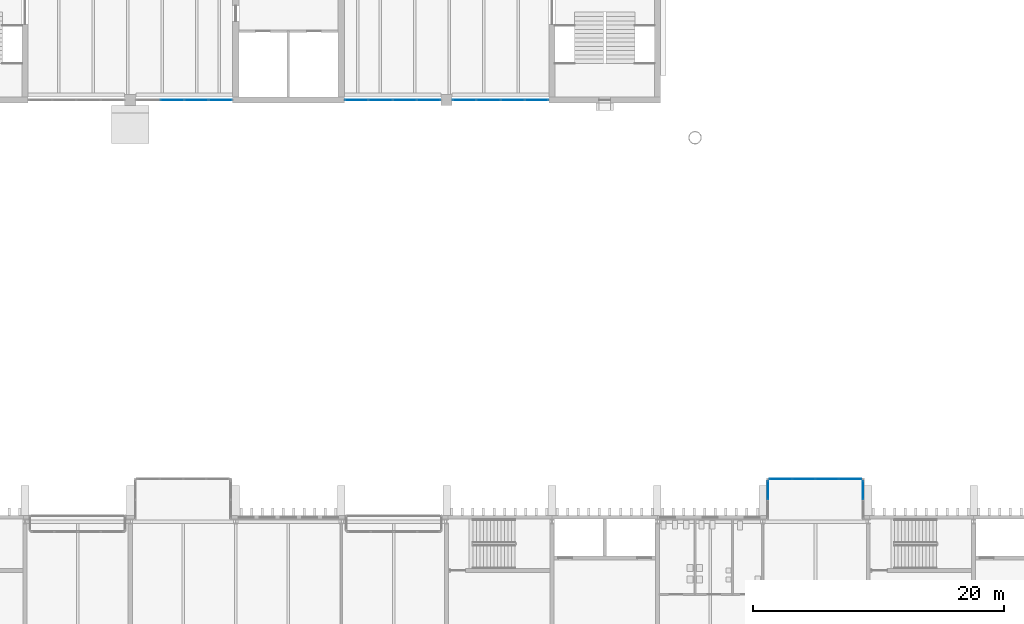
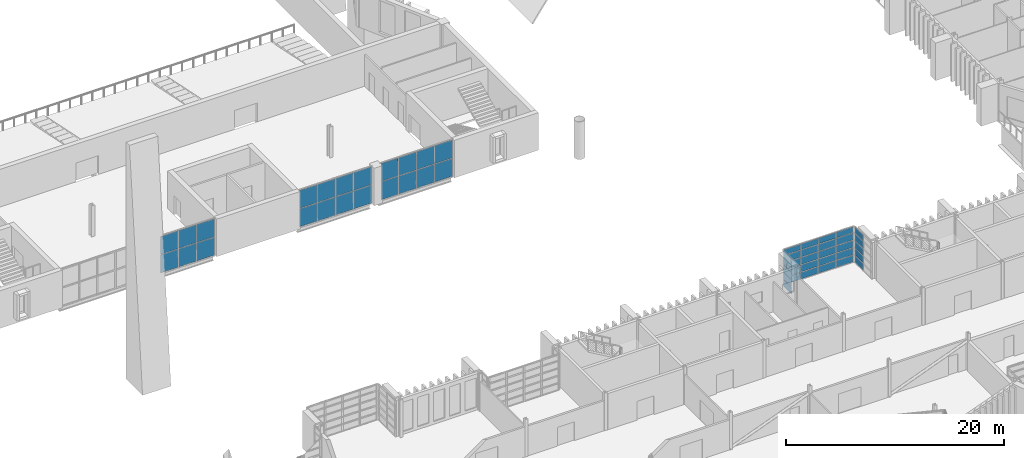
# One storey, part 52 of 100: 52 plates, 6 elements without a shape of their own.
"""IFC4 building model written with IfcOpenShell, lengths in metres."""

from ifc_helpers import new_model, si_unit, direction, frame, origin, origin_2d, place, context, subcontext, project, spatial, rectangle, extrude, material, layer, layer_set, type_object, element, aggregate, save


model = new_model("IFC4")

# Units and contexts
model_context = context("Model", 3, precision=1e-05, world=origin(), true_north=direction((0.0, 1.0)))
body_context = subcontext(model_context, "Body", "Model", "MODEL_VIEW")
ifc_project = project(units=[si_unit("LENGTHUNIT", "METRE"), si_unit("AREAUNIT", "SQUARE_METRE"), si_unit("VOLUMEUNIT", "CUBIC_METRE"), si_unit("PLANEANGLEUNIT", "RADIAN"), si_unit("MASSUNIT", "GRAM", prefix="KILO")], contexts=[model_context])

# Site, building, storey
site_placement = place(None, origin())
site = spatial("IfcSite", under=ifc_project, at=site_placement, CompositionType="ELEMENT")
building_placement = place(site_placement, origin())
building = spatial("IfcBuilding", under=site, at=building_placement, Name="Cresset Court Congress Hotel", CompositionType="ELEMENT")
storey_placement = place(building_placement, frame((0.0, 0.0, 10.199951171875)))
storey = spatial("IfcBuildingStorey", under=building, at=storey_placement, Name="L02", CompositionType="ELEMENT", Elevation=10.199951171875)

# Curtain wall, plates
ifc_material_1 = material(Name="Aluminium frame with double glazing", Category="aluminium")
ifc_layer_1 = layer(ifc_material_1, 0.199951171875)
ifc_layer_set_1 = layer_set([ifc_layer_1], Name="Glazed box curtain wall 1680 module")
curtain_wall_type_1 = type_object("IfcCurtainWallType", Name="Glazed box curtain wall 1680 module", PredefinedType="NOTDEFINED", material=ifc_layer_set_1)
curtain_wall_1_placement = place(storey_placement, origin())
curtain_wall_1 = element("IfcCurtainWall", 1, at=curtain_wall_1_placement, inside=storey, type_object=curtain_wall_type_1, Name="Glazed box N0232 front", PredefinedType="NOTDEFINED")
ifc_material_2 = material(Name="Toughened double glazing", Category="glass")
ifc_layer_2 = layer(ifc_material_2, 0.028076171875)
ifc_layer_set_2 = layer_set([ifc_layer_2], Name="Box glass panel 28")
plate_type_1 = type_object("IfcPlateType", Name="Box glass panel 28", PredefinedType="CURTAIN_PANEL", material=ifc_layer_set_2)
plate_1_placement = place(storey_placement, frame((127.43994140625, 28.60009765625, 0.06005859375), z_axis=(0.0, 0.0, 1.0), x_axis=(1.0, 0.0, 0.0)))
plate_1 = element("IfcPlate", 2, at=plate_1_placement, type_object=plate_type_1, Name="B-X1 panel 1.1", PredefinedType="CURTAIN_PANEL", context=body_context, shape_type="SweptSolid", body=[
    extrude(rectangle(XDim=1.760009765625, YDim=0.028076171875, at=origin_2d()), origin(), (0.0, 0.0, 1.0), 0.739990234375),
])
plate_2_placement = place(storey_placement, frame((127.43994140625, 28.60009765625, 0.860107421875), z_axis=(0.0, 0.0, 1.0), x_axis=(1.0, 0.0, 0.0)))
plate_2 = element("IfcPlate", 3, at=plate_2_placement, type_object=plate_type_1, Name="B-X1 panel 1.2", PredefinedType="CURTAIN_PANEL", context=body_context, shape_type="SweptSolid", body=[
    extrude(rectangle(XDim=1.760009765625, YDim=0.028076171875, at=origin_2d()), origin(), (0.0, 0.0, 1.0), 0.77001953125),
])
plate_3_placement = place(storey_placement, frame((127.43994140625, 28.60009765625, 1.68994140625), z_axis=(0.0, 0.0, 1.0), x_axis=(1.0, 0.0, 0.0)))
plate_3 = element("IfcPlate", 4, at=plate_3_placement, type_object=plate_type_1, Name="B-X1 panel 1.3", PredefinedType="CURTAIN_PANEL", context=body_context, shape_type="SweptSolid", body=[
    extrude(rectangle(XDim=1.760009765625, YDim=0.028076171875, at=origin_2d()), origin(), (0.0, 0.0, 1.0), 0.77001953125),
])
plate_4_placement = place(storey_placement, frame((127.43994140625, 28.60009765625, 2.52001953125), z_axis=(0.0, 0.0, 1.0), x_axis=(1.0, 0.0, 0.0)))
plate_4 = element("IfcPlate", 5, at=plate_4_placement, type_object=plate_type_1, Name="B-X1 panel 1.4", PredefinedType="CURTAIN_PANEL", context=body_context, shape_type="SweptSolid", body=[
    extrude(rectangle(XDim=1.760009765625, YDim=0.028076171875, at=origin_2d()), origin(), (0.0, 0.0, 1.0), 0.77001953125),
])
plate_5_placement = place(storey_placement, frame((129.27490234375, 28.60009765625, 0.06005859375), z_axis=(0.0, 0.0, 1.0), x_axis=(1.0, 0.0, 0.0)))
plate_5 = element("IfcPlate", 6, at=plate_5_placement, type_object=plate_type_1, Name="B-X1 panel 2.1", PredefinedType="CURTAIN_PANEL", context=body_context, shape_type="SweptSolid", body=[
    extrude(rectangle(XDim=1.7900390625, YDim=0.028076171875, at=origin_2d()), origin(), (0.0, 0.0, 1.0), 0.739990234375),
])
plate_6_placement = place(storey_placement, frame((129.27490234375, 28.60009765625, 0.860107421875), z_axis=(0.0, 0.0, 1.0), x_axis=(1.0, 0.0, 0.0)))
plate_6 = element("IfcPlate", 7, at=plate_6_placement, type_object=plate_type_1, Name="B-X1 panel 2.2", PredefinedType="CURTAIN_PANEL", context=body_context, shape_type="SweptSolid", body=[
    extrude(rectangle(XDim=1.7900390625, YDim=0.028076171875, at=origin_2d()), origin(), (0.0, 0.0, 1.0), 0.77001953125),
])
plate_7_placement = place(storey_placement, frame((129.27490234375, 28.60009765625, 1.68994140625), z_axis=(0.0, 0.0, 1.0), x_axis=(1.0, 0.0, 0.0)))
plate_7 = element("IfcPlate", 8, at=plate_7_placement, type_object=plate_type_1, Name="B-X1 panel 2.3", PredefinedType="CURTAIN_PANEL", context=body_context, shape_type="SweptSolid", body=[
    extrude(rectangle(XDim=1.7900390625, YDim=0.028076171875, at=origin_2d()), origin(), (0.0, 0.0, 1.0), 0.77001953125),
])
plate_8_placement = place(storey_placement, frame((129.27490234375, 28.60009765625, 2.52001953125), z_axis=(0.0, 0.0, 1.0), x_axis=(1.0, 0.0, 0.0)))
plate_8 = element("IfcPlate", 9, at=plate_8_placement, type_object=plate_type_1, Name="B-X1 panel 2.4", PredefinedType="CURTAIN_PANEL", context=body_context, shape_type="SweptSolid", body=[
    extrude(rectangle(XDim=1.7900390625, YDim=0.028076171875, at=origin_2d()), origin(), (0.0, 0.0, 1.0), 0.77001953125),
])
plate_9_placement = place(storey_placement, frame((131.125, 28.60009765625, 0.06005859375), z_axis=(0.0, 0.0, 1.0), x_axis=(1.0, 0.0, 0.0)))
plate_9 = element("IfcPlate", 10, at=plate_9_placement, type_object=plate_type_1, Name="B-X1 panel 3.1", PredefinedType="CURTAIN_PANEL", context=body_context, shape_type="SweptSolid", body=[
    extrude(rectangle(XDim=1.7900390625, YDim=0.028076171875, at=origin_2d()), origin(), (0.0, 0.0, 1.0), 0.739990234375),
])
plate_10_placement = place(storey_placement, frame((131.125, 28.60009765625, 0.860107421875), z_axis=(0.0, 0.0, 1.0), x_axis=(1.0, 0.0, 0.0)))
plate_10 = element("IfcPlate", 11, at=plate_10_placement, type_object=plate_type_1, Name="B-X1 panel 3.2", PredefinedType="CURTAIN_PANEL", context=body_context, shape_type="SweptSolid", body=[
    extrude(rectangle(XDim=1.7900390625, YDim=0.028076171875, at=origin_2d()), origin(), (0.0, 0.0, 1.0), 0.77001953125),
])
plate_11_placement = place(storey_placement, frame((131.125, 28.60009765625, 1.68994140625), z_axis=(0.0, 0.0, 1.0), x_axis=(1.0, 0.0, 0.0)))
plate_11 = element("IfcPlate", 12, at=plate_11_placement, type_object=plate_type_1, Name="B-X1 panel 3.3", PredefinedType="CURTAIN_PANEL", context=body_context, shape_type="SweptSolid", body=[
    extrude(rectangle(XDim=1.7900390625, YDim=0.028076171875, at=origin_2d()), origin(), (0.0, 0.0, 1.0), 0.77001953125),
])
plate_12_placement = place(storey_placement, frame((131.125, 28.60009765625, 2.52001953125), z_axis=(0.0, 0.0, 1.0), x_axis=(1.0, 0.0, 0.0)))
plate_12 = element("IfcPlate", 13, at=plate_12_placement, type_object=plate_type_1, Name="B-X1 panel 3.4", PredefinedType="CURTAIN_PANEL", context=body_context, shape_type="SweptSolid", body=[
    extrude(rectangle(XDim=1.7900390625, YDim=0.028076171875, at=origin_2d()), origin(), (0.0, 0.0, 1.0), 0.77001953125),
])
plate_13_placement = place(storey_placement, frame((132.9599609375, 28.60009765625, 0.06005859375), z_axis=(0.0, 0.0, 1.0), x_axis=(1.0, 0.0, 0.0)))
plate_13 = element("IfcPlate", 14, at=plate_13_placement, type_object=plate_type_1, Name="B-X1 panel 4.1", PredefinedType="CURTAIN_PANEL", context=body_context, shape_type="SweptSolid", body=[
    extrude(rectangle(XDim=1.760009765625, YDim=0.028076171875, at=origin_2d()), origin(), (0.0, 0.0, 1.0), 0.739990234375),
])
plate_14_placement = place(storey_placement, frame((132.9599609375, 28.60009765625, 0.860107421875), z_axis=(0.0, 0.0, 1.0), x_axis=(1.0, 0.0, 0.0)))
plate_14 = element("IfcPlate", 15, at=plate_14_placement, type_object=plate_type_1, Name="B-X1 panel 4.2", PredefinedType="CURTAIN_PANEL", context=body_context, shape_type="SweptSolid", body=[
    extrude(rectangle(XDim=1.760009765625, YDim=0.028076171875, at=origin_2d()), origin(), (0.0, 0.0, 1.0), 0.77001953125),
])
plate_15_placement = place(storey_placement, frame((132.9599609375, 28.60009765625, 1.68994140625), z_axis=(0.0, 0.0, 1.0), x_axis=(1.0, 0.0, 0.0)))
plate_15 = element("IfcPlate", 16, at=plate_15_placement, type_object=plate_type_1, Name="B-X1 panel 4.3", PredefinedType="CURTAIN_PANEL", context=body_context, shape_type="SweptSolid", body=[
    extrude(rectangle(XDim=1.760009765625, YDim=0.028076171875, at=origin_2d()), origin(), (0.0, 0.0, 1.0), 0.77001953125),
])
plate_16_placement = place(storey_placement, frame((132.9599609375, 28.60009765625, 2.52001953125), z_axis=(0.0, 0.0, 1.0), x_axis=(1.0, 0.0, 0.0)))
plate_16 = element("IfcPlate", 17, at=plate_16_placement, type_object=plate_type_1, Name="B-X1 panel 4.4", PredefinedType="CURTAIN_PANEL", context=body_context, shape_type="SweptSolid", body=[
    extrude(rectangle(XDim=1.760009765625, YDim=0.028076171875, at=origin_2d()), origin(), (0.0, 0.0, 1.0), 0.77001953125),
])

curtain_wall_2_placement = place(storey_placement, origin())
curtain_wall_2 = element("IfcCurtainWall", 18, at=curtain_wall_2_placement, inside=storey, type_object=curtain_wall_type_1, Name="Glazed box N0232 side", PredefinedType="NOTDEFINED")
plate_17_placement = place(storey_placement, frame((126.39990234375, 27.7099609375, 0.06005859375), z_axis=(0.0, 0.0, 1.0), x_axis=(0.0, 1.0, 0.0)))
plate_17 = element("IfcPlate", 19, at=plate_17_placement, type_object=plate_type_1, Name="B-X1 panel 2.1", PredefinedType="CURTAIN_PANEL", context=body_context, shape_type="SweptSolid", body=[
    extrude(rectangle(XDim=1.4599609375, YDim=0.028076171875, at=origin_2d()), origin(), (0.0, 0.0, 1.0), 0.739990234375),
])
plate_18_placement = place(storey_placement, frame((126.39990234375, 27.7099609375, 0.860107421875), z_axis=(0.0, 0.0, 1.0), x_axis=(0.0, 1.0, 0.0)))
plate_18 = element("IfcPlate", 20, at=plate_18_placement, type_object=plate_type_1, Name="B-X1 panel 2.2", PredefinedType="CURTAIN_PANEL", context=body_context, shape_type="SweptSolid", body=[
    extrude(rectangle(XDim=1.4599609375, YDim=0.028076171875, at=origin_2d()), origin(), (0.0, 0.0, 1.0), 0.77001953125),
])
plate_19_placement = place(storey_placement, frame((126.39990234375, 27.7099609375, 1.68994140625), z_axis=(0.0, 0.0, 1.0), x_axis=(0.0, 1.0, 0.0)))
plate_19 = element("IfcPlate", 21, at=plate_19_placement, type_object=plate_type_1, Name="B-X1 panel 2.3", PredefinedType="CURTAIN_PANEL", context=body_context, shape_type="SweptSolid", body=[
    extrude(rectangle(XDim=1.4599609375, YDim=0.028076171875, at=origin_2d()), origin(), (0.0, 0.0, 1.0), 0.77001953125),
])
plate_20_placement = place(storey_placement, frame((126.39990234375, 27.7099609375, 2.52001953125), z_axis=(0.0, 0.0, 1.0), x_axis=(0.0, 1.0, 0.0)))
plate_20 = element("IfcPlate", 22, at=plate_20_placement, type_object=plate_type_1, Name="B-X1 panel 2.4", PredefinedType="CURTAIN_PANEL", context=body_context, shape_type="SweptSolid", body=[
    extrude(rectangle(XDim=1.4599609375, YDim=0.028076171875, at=origin_2d()), origin(), (0.0, 0.0, 1.0), 0.77001953125),
])

curtain_wall_3_placement = place(storey_placement, origin())
curtain_wall_3 = element("IfcCurtainWall", 23, at=curtain_wall_3_placement, inside=storey, type_object=curtain_wall_type_1, Name="Glazed box N0232 side", PredefinedType="NOTDEFINED")
plate_21_placement = place(storey_placement, frame((134.0, 27.7099609375, 0.06005859375), z_axis=(0.0, 0.0, 1.0), x_axis=(0.0, 1.0, 0.0)))
plate_21 = element("IfcPlate", 24, at=plate_21_placement, type_object=plate_type_1, Name="B-X1 panel 2.1", PredefinedType="CURTAIN_PANEL", context=body_context, shape_type="SweptSolid", body=[
    extrude(rectangle(XDim=1.4599609375, YDim=0.028076171875, at=origin_2d()), origin(), (0.0, 0.0, 1.0), 0.739990234375),
])
plate_22_placement = place(storey_placement, frame((134.0, 27.7099609375, 0.860107421875), z_axis=(0.0, 0.0, 1.0), x_axis=(0.0, 1.0, 0.0)))
plate_22 = element("IfcPlate", 25, at=plate_22_placement, type_object=plate_type_1, Name="B-X1 panel 2.2", PredefinedType="CURTAIN_PANEL", context=body_context, shape_type="SweptSolid", body=[
    extrude(rectangle(XDim=1.4599609375, YDim=0.028076171875, at=origin_2d()), origin(), (0.0, 0.0, 1.0), 0.77001953125),
])
plate_23_placement = place(storey_placement, frame((134.0, 27.7099609375, 1.68994140625), z_axis=(0.0, 0.0, 1.0), x_axis=(0.0, 1.0, 0.0)))
plate_23 = element("IfcPlate", 26, at=plate_23_placement, type_object=plate_type_1, Name="B-X1 panel 2.3", PredefinedType="CURTAIN_PANEL", context=body_context, shape_type="SweptSolid", body=[
    extrude(rectangle(XDim=1.4599609375, YDim=0.028076171875, at=origin_2d()), origin(), (0.0, 0.0, 1.0), 0.77001953125),
])
plate_24_placement = place(storey_placement, frame((134.0, 27.7099609375, 2.52001953125), z_axis=(0.0, 0.0, 1.0), x_axis=(0.0, 1.0, 0.0)))
plate_24 = element("IfcPlate", 27, at=plate_24_placement, type_object=plate_type_1, Name="B-X1 panel 2.4", PredefinedType="CURTAIN_PANEL", context=body_context, shape_type="SweptSolid", body=[
    extrude(rectangle(XDim=1.4599609375, YDim=0.028076171875, at=origin_2d()), origin(), (0.0, 0.0, 1.0), 0.77001953125),
])

# Plate
ifc_material_3 = material(Name="Insulated aluminium spandrel panel", Category="aluminium")
ifc_layer_3 = layer(ifc_material_3, 0.0400390625)
ifc_layer_set_3 = layer_set([ifc_layer_3], Name="Box spandrel panel 40")
plate_type_2 = type_object("IfcPlateType", Name="Box spandrel panel 40", PredefinedType="CURTAIN_PANEL", material=ifc_layer_set_3)
plate_25_placement = place(storey_placement, frame((127.43994140625, 28.60009765625, 3.35009765625), z_axis=(0.0, 0.0, 1.0), x_axis=(1.0, 0.0, 0.0)))
plate_25 = element("IfcPlate", 28, at=plate_25_placement, type_object=plate_type_2, Name="B-X1 spandrel panel 1.5", PredefinedType="CURTAIN_PANEL", context=body_context, shape_type="SweptSolid", body=[
    extrude(rectangle(XDim=1.760009765625, YDim=0.0400390625, at=origin_2d()), origin(), (0.0, 0.0, 1.0), 0.639892578125),
])

plate_26_placement = place(storey_placement, frame((129.27490234375, 28.60009765625, 3.35009765625), z_axis=(0.0, 0.0, 1.0), x_axis=(1.0, 0.0, 0.0)))
plate_26 = element("IfcPlate", 29, at=plate_26_placement, type_object=plate_type_2, Name="B-X1 spandrel panel 2.5", PredefinedType="CURTAIN_PANEL", context=body_context, shape_type="SweptSolid", body=[
    extrude(rectangle(XDim=1.7900390625, YDim=0.0400390625, at=origin_2d()), origin(), (0.0, 0.0, 1.0), 0.639892578125),
])

plate_27_placement = place(storey_placement, frame((131.125, 28.60009765625, 3.35009765625), z_axis=(0.0, 0.0, 1.0), x_axis=(1.0, 0.0, 0.0)))
plate_27 = element("IfcPlate", 30, at=plate_27_placement, type_object=plate_type_2, Name="B-X1 spandrel panel 3.5", PredefinedType="CURTAIN_PANEL", context=body_context, shape_type="SweptSolid", body=[
    extrude(rectangle(XDim=1.7900390625, YDim=0.0400390625, at=origin_2d()), origin(), (0.0, 0.0, 1.0), 0.639892578125),
])

plate_28_placement = place(storey_placement, frame((132.9599609375, 28.60009765625, 3.35009765625), z_axis=(0.0, 0.0, 1.0), x_axis=(1.0, 0.0, 0.0)))
plate_28 = element("IfcPlate", 31, at=plate_28_placement, type_object=plate_type_2, Name="B-X1 spandrel panel 4.5", PredefinedType="CURTAIN_PANEL", context=body_context, shape_type="SweptSolid", body=[
    extrude(rectangle(XDim=1.760009765625, YDim=0.0400390625, at=origin_2d()), origin(), (0.0, 0.0, 1.0), 0.639892578125),
])

aggregate(curtain_wall_1, [plate_1, plate_2, plate_3, plate_4, plate_25, plate_5, plate_6, plate_7, plate_8, plate_26, plate_9, plate_10, plate_11, plate_12, plate_27, plate_13, plate_14, plate_15, plate_16, plate_28])

plate_29_placement = place(storey_placement, frame((126.39990234375, 27.7099609375, 3.35009765625), z_axis=(0.0, 0.0, 1.0), x_axis=(0.0, 1.0, 0.0)))
plate_29 = element("IfcPlate", 32, at=plate_29_placement, type_object=plate_type_2, Name="B-X1 spandrel panel 2.5", PredefinedType="CURTAIN_PANEL", context=body_context, shape_type="SweptSolid", body=[
    extrude(rectangle(XDim=1.4599609375, YDim=0.0400390625, at=origin_2d()), origin(), (0.0, 0.0, 1.0), 0.639892578125),
])

aggregate(curtain_wall_2, [plate_17, plate_18, plate_19, plate_20, plate_29])

plate_30_placement = place(storey_placement, frame((134.0, 27.7099609375, 3.35009765625), z_axis=(0.0, 0.0, 1.0), x_axis=(0.0, 1.0, 0.0)))
plate_30 = element("IfcPlate", 33, at=plate_30_placement, type_object=plate_type_2, Name="B-X1 spandrel panel 2.5", PredefinedType="CURTAIN_PANEL", context=body_context, shape_type="SweptSolid", body=[
    extrude(rectangle(XDim=1.4599609375, YDim=0.0400390625, at=origin_2d()), origin(), (0.0, 0.0, 1.0), 0.639892578125),
])

aggregate(curtain_wall_3, [plate_21, plate_22, plate_23, plate_24, plate_30])

# Curtain wall, plates
ifc_material_4 = material(Name="Aluminium and glass", Category="aluminium")
ifc_layer_4 = layer(ifc_material_4, 0.199951171875)
ifc_layer_set_4 = layer_set([ifc_layer_4], Name="Foyer curtain wall 1925 module")
curtain_wall_type_2 = type_object("IfcCurtainWallType", Name="Foyer curtain wall 1925 module", PredefinedType="NOTDEFINED", material=ifc_layer_set_4)
curtain_wall_4_placement = place(storey_placement, origin())
curtain_wall_4 = element("IfcCurtainWall", 34, at=curtain_wall_4_placement, inside=storey, type_object=curtain_wall_type_2, Name="Curtain wall CX-022", PredefinedType="NOTDEFINED")
ifc_material_5 = material(Name="Laminated glass", Category="glass")
ifc_layer_5 = layer(ifc_material_5, 0.028076171875)
ifc_layer_set_5 = layer_set([ifc_layer_5], Name="Curtain wall glass panel 28")
plate_type_3 = type_object("IfcPlateType", Name="Curtain wall glass panel 28", PredefinedType="CURTAIN_PANEL", material=ifc_layer_set_5)
plate_31_placement = place(storey_placement, frame((78.9375, 58.800048828125, 0.06005859375), z_axis=(0.0, 0.0, 1.0), x_axis=(1.0, 0.0, 0.0)))
plate_31 = element("IfcPlate", 35, at=plate_31_placement, type_object=plate_type_3, Name="C-X1 panel 2.1", PredefinedType="CURTAIN_PANEL", context=body_context, shape_type="SweptSolid", body=[
    extrude(rectangle(XDim=1.864990234375, YDim=0.028076171875, at=origin_2d()), origin(), (0.0, 0.0, 1.0), 2.010009765625),
])
plate_32_placement = place(storey_placement, frame((78.9375, 58.800048828125, 2.1298828125), z_axis=(0.0, 0.0, 1.0), x_axis=(1.0, 0.0, 0.0)))
plate_32 = element("IfcPlate", 36, at=plate_32_placement, type_object=plate_type_3, Name="C-X1 panel 2.2", PredefinedType="CURTAIN_PANEL", context=body_context, shape_type="SweptSolid", body=[
    extrude(rectangle(XDim=1.864990234375, YDim=0.028076171875, at=origin_2d()), origin(), (0.0, 0.0, 1.0), 2.010009765625),
])
plate_33_placement = place(storey_placement, frame((80.862548828125, 58.800048828125, 0.06005859375), z_axis=(0.0, 0.0, 1.0), x_axis=(1.0, 0.0, 0.0)))
plate_33 = element("IfcPlate", 37, at=plate_33_placement, type_object=plate_type_3, Name="C-X1 panel 3.1", PredefinedType="CURTAIN_PANEL", context=body_context, shape_type="SweptSolid", body=[
    extrude(rectangle(XDim=1.864990234375, YDim=0.028076171875, at=origin_2d()), origin(), (0.0, 0.0, 1.0), 2.010009765625),
])
plate_34_placement = place(storey_placement, frame((80.862548828125, 58.800048828125, 2.1298828125), z_axis=(0.0, 0.0, 1.0), x_axis=(1.0, 0.0, 0.0)))
plate_34 = element("IfcPlate", 38, at=plate_34_placement, type_object=plate_type_3, Name="C-X1 panel 3.2", PredefinedType="CURTAIN_PANEL", context=body_context, shape_type="SweptSolid", body=[
    extrude(rectangle(XDim=1.864990234375, YDim=0.028076171875, at=origin_2d()), origin(), (0.0, 0.0, 1.0), 2.010009765625),
])
plate_35_placement = place(storey_placement, frame((82.7724609375, 58.800048828125, 0.06005859375), z_axis=(0.0, 0.0, 1.0), x_axis=(1.0, 0.0, 0.0)))
plate_35 = element("IfcPlate", 39, at=plate_35_placement, type_object=plate_type_3, Name="C-X1 panel 4.1", PredefinedType="CURTAIN_PANEL", context=body_context, shape_type="SweptSolid", body=[
    extrude(rectangle(XDim=1.8349609375, YDim=0.028076171875, at=origin_2d()), origin(), (0.0, 0.0, 1.0), 2.010009765625),
])
plate_36_placement = place(storey_placement, frame((82.7724609375, 58.800048828125, 2.1298828125), z_axis=(0.0, 0.0, 1.0), x_axis=(1.0, 0.0, 0.0)))
plate_36 = element("IfcPlate", 40, at=plate_36_placement, type_object=plate_type_3, Name="C-X1 panel 4.2", PredefinedType="CURTAIN_PANEL", context=body_context, shape_type="SweptSolid", body=[
    extrude(rectangle(XDim=1.8349609375, YDim=0.028076171875, at=origin_2d()), origin(), (0.0, 0.0, 1.0), 2.010009765625),
])
aggregate(curtain_wall_4, [plate_31, plate_32, plate_33, plate_34, plate_35, plate_36])

curtain_wall_5_placement = place(storey_placement, origin())
curtain_wall_5 = element("IfcCurtainWall", 41, at=curtain_wall_5_placement, inside=storey, type_object=curtain_wall_type_2, Name="Curtain wall CX-023", PredefinedType="NOTDEFINED")
plate_37_placement = place(storey_placement, frame((93.62744140625, 58.800048828125, 0.06005859375), z_axis=(0.0, 0.0, 1.0), x_axis=(1.0, 0.0, 0.0)))
plate_37 = element("IfcPlate", 42, at=plate_37_placement, type_object=plate_type_3, Name="C-X1 panel 1.1", PredefinedType="CURTAIN_PANEL", context=body_context, shape_type="SweptSolid", body=[
    extrude(rectangle(XDim=1.8349609375, YDim=0.028076171875, at=origin_2d()), origin(), (0.0, 0.0, 1.0), 2.010009765625),
])
plate_38_placement = place(storey_placement, frame((93.62744140625, 58.800048828125, 2.1298828125), z_axis=(0.0, 0.0, 1.0), x_axis=(1.0, 0.0, 0.0)))
plate_38 = element("IfcPlate", 43, at=plate_38_placement, type_object=plate_type_3, Name="C-X1 panel 1.2", PredefinedType="CURTAIN_PANEL", context=body_context, shape_type="SweptSolid", body=[
    extrude(rectangle(XDim=1.8349609375, YDim=0.028076171875, at=origin_2d()), origin(), (0.0, 0.0, 1.0), 2.010009765625),
])
plate_39_placement = place(storey_placement, frame((95.53759765625, 58.800048828125, 0.06005859375), z_axis=(0.0, 0.0, 1.0), x_axis=(1.0, 0.0, 0.0)))
plate_39 = element("IfcPlate", 44, at=plate_39_placement, type_object=plate_type_3, Name="C-X1 panel 2.1", PredefinedType="CURTAIN_PANEL", context=body_context, shape_type="SweptSolid", body=[
    extrude(rectangle(XDim=1.864990234375, YDim=0.028076171875, at=origin_2d()), origin(), (0.0, 0.0, 1.0), 2.010009765625),
])
plate_40_placement = place(storey_placement, frame((95.53759765625, 58.800048828125, 2.1298828125), z_axis=(0.0, 0.0, 1.0), x_axis=(1.0, 0.0, 0.0)))
plate_40 = element("IfcPlate", 45, at=plate_40_placement, type_object=plate_type_3, Name="C-X1 panel 2.2", PredefinedType="CURTAIN_PANEL", context=body_context, shape_type="SweptSolid", body=[
    extrude(rectangle(XDim=1.864990234375, YDim=0.028076171875, at=origin_2d()), origin(), (0.0, 0.0, 1.0), 2.010009765625),
])
plate_41_placement = place(storey_placement, frame((97.46240234375, 58.800048828125, 0.06005859375), z_axis=(0.0, 0.0, 1.0), x_axis=(1.0, 0.0, 0.0)))
plate_41 = element("IfcPlate", 46, at=plate_41_placement, type_object=plate_type_3, Name="C-X1 panel 3.1", PredefinedType="CURTAIN_PANEL", context=body_context, shape_type="SweptSolid", body=[
    extrude(rectangle(XDim=1.864990234375, YDim=0.028076171875, at=origin_2d()), origin(), (0.0, 0.0, 1.0), 2.010009765625),
])
plate_42_placement = place(storey_placement, frame((97.46240234375, 58.800048828125, 2.1298828125), z_axis=(0.0, 0.0, 1.0), x_axis=(1.0, 0.0, 0.0)))
plate_42 = element("IfcPlate", 47, at=plate_42_placement, type_object=plate_type_3, Name="C-X1 panel 3.2", PredefinedType="CURTAIN_PANEL", context=body_context, shape_type="SweptSolid", body=[
    extrude(rectangle(XDim=1.864990234375, YDim=0.028076171875, at=origin_2d()), origin(), (0.0, 0.0, 1.0), 2.010009765625),
])
plate_43_placement = place(storey_placement, frame((99.37255859375, 58.800048828125, 0.06005859375), z_axis=(0.0, 0.0, 1.0), x_axis=(1.0, 0.0, 0.0)))
plate_43 = element("IfcPlate", 48, at=plate_43_placement, type_object=plate_type_3, Name="C-X1 panel 4.1", PredefinedType="CURTAIN_PANEL", context=body_context, shape_type="SweptSolid", body=[
    extrude(rectangle(XDim=1.8349609375, YDim=0.028076171875, at=origin_2d()), origin(), (0.0, 0.0, 1.0), 2.010009765625),
])
plate_44_placement = place(storey_placement, frame((99.37255859375, 58.800048828125, 2.1298828125), z_axis=(0.0, 0.0, 1.0), x_axis=(1.0, 0.0, 0.0)))
plate_44 = element("IfcPlate", 49, at=plate_44_placement, type_object=plate_type_3, Name="C-X1 panel 4.2", PredefinedType="CURTAIN_PANEL", context=body_context, shape_type="SweptSolid", body=[
    extrude(rectangle(XDim=1.8349609375, YDim=0.028076171875, at=origin_2d()), origin(), (0.0, 0.0, 1.0), 2.010009765625),
])
aggregate(curtain_wall_5, [plate_37, plate_38, plate_39, plate_40, plate_41, plate_42, plate_43, plate_44])

curtain_wall_6_placement = place(storey_placement, origin())
curtain_wall_6 = element("IfcCurtainWall", 50, at=curtain_wall_6_placement, inside=storey, type_object=curtain_wall_type_2, Name="Curtain wall CX-024", PredefinedType="NOTDEFINED")
plate_45_placement = place(storey_placement, frame((102.2275390625, 58.800048828125, 0.06005859375), z_axis=(0.0, 0.0, 1.0), x_axis=(1.0, 0.0, 0.0)))
plate_45 = element("IfcPlate", 51, at=plate_45_placement, type_object=plate_type_3, Name="C-X1 panel 1.1", PredefinedType="CURTAIN_PANEL", context=body_context, shape_type="SweptSolid", body=[
    extrude(rectangle(XDim=1.8349609375, YDim=0.028076171875, at=origin_2d()), origin(), (0.0, 0.0, 1.0), 2.010009765625),
])
plate_46_placement = place(storey_placement, frame((102.2275390625, 58.800048828125, 2.1298828125), z_axis=(0.0, 0.0, 1.0), x_axis=(1.0, 0.0, 0.0)))
plate_46 = element("IfcPlate", 52, at=plate_46_placement, type_object=plate_type_3, Name="C-X1 panel 1.2", PredefinedType="CURTAIN_PANEL", context=body_context, shape_type="SweptSolid", body=[
    extrude(rectangle(XDim=1.8349609375, YDim=0.028076171875, at=origin_2d()), origin(), (0.0, 0.0, 1.0), 2.010009765625),
])
plate_47_placement = place(storey_placement, frame((104.137451171875, 58.800048828125, 0.06005859375), z_axis=(0.0, 0.0, 1.0), x_axis=(1.0, 0.0, 0.0)))
plate_47 = element("IfcPlate", 53, at=plate_47_placement, type_object=plate_type_3, Name="C-X1 panel 2.1", PredefinedType="CURTAIN_PANEL", context=body_context, shape_type="SweptSolid", body=[
    extrude(rectangle(XDim=1.864990234375, YDim=0.028076171875, at=origin_2d()), origin(), (0.0, 0.0, 1.0), 2.010009765625),
])
plate_48_placement = place(storey_placement, frame((104.137451171875, 58.800048828125, 2.1298828125), z_axis=(0.0, 0.0, 1.0), x_axis=(1.0, 0.0, 0.0)))
plate_48 = element("IfcPlate", 54, at=plate_48_placement, type_object=plate_type_3, Name="C-X1 panel 2.2", PredefinedType="CURTAIN_PANEL", context=body_context, shape_type="SweptSolid", body=[
    extrude(rectangle(XDim=1.864990234375, YDim=0.028076171875, at=origin_2d()), origin(), (0.0, 0.0, 1.0), 2.010009765625),
])
plate_49_placement = place(storey_placement, frame((106.0625, 58.800048828125, 0.06005859375), z_axis=(0.0, 0.0, 1.0), x_axis=(1.0, 0.0, 0.0)))
plate_49 = element("IfcPlate", 55, at=plate_49_placement, type_object=plate_type_3, Name="C-X1 panel 3.1", PredefinedType="CURTAIN_PANEL", context=body_context, shape_type="SweptSolid", body=[
    extrude(rectangle(XDim=1.864990234375, YDim=0.028076171875, at=origin_2d()), origin(), (0.0, 0.0, 1.0), 2.010009765625),
])
plate_50_placement = place(storey_placement, frame((106.0625, 58.800048828125, 2.1298828125), z_axis=(0.0, 0.0, 1.0), x_axis=(1.0, 0.0, 0.0)))
plate_50 = element("IfcPlate", 56, at=plate_50_placement, type_object=plate_type_3, Name="C-X1 panel 3.2", PredefinedType="CURTAIN_PANEL", context=body_context, shape_type="SweptSolid", body=[
    extrude(rectangle(XDim=1.864990234375, YDim=0.028076171875, at=origin_2d()), origin(), (0.0, 0.0, 1.0), 2.010009765625),
])
plate_51_placement = place(storey_placement, frame((107.972412109375, 58.800048828125, 0.06005859375), z_axis=(0.0, 0.0, 1.0), x_axis=(1.0, 0.0, 0.0)))
plate_51 = element("IfcPlate", 57, at=plate_51_placement, type_object=plate_type_3, Name="C-X1 panel 4.1", PredefinedType="CURTAIN_PANEL", context=body_context, shape_type="SweptSolid", body=[
    extrude(rectangle(XDim=1.8349609375, YDim=0.028076171875, at=origin_2d()), origin(), (0.0, 0.0, 1.0), 2.010009765625),
])
plate_52_placement = place(storey_placement, frame((107.972412109375, 58.800048828125, 2.1298828125), z_axis=(0.0, 0.0, 1.0), x_axis=(1.0, 0.0, 0.0)))
plate_52 = element("IfcPlate", 58, at=plate_52_placement, type_object=plate_type_3, Name="C-X1 panel 4.2", PredefinedType="CURTAIN_PANEL", context=body_context, shape_type="SweptSolid", body=[
    extrude(rectangle(XDim=1.8349609375, YDim=0.028076171875, at=origin_2d()), origin(), (0.0, 0.0, 1.0), 2.010009765625),
])
aggregate(curtain_wall_6, [plate_45, plate_46, plate_47, plate_48, plate_49, plate_50, plate_51, plate_52])

save(model, "model.ifc")
